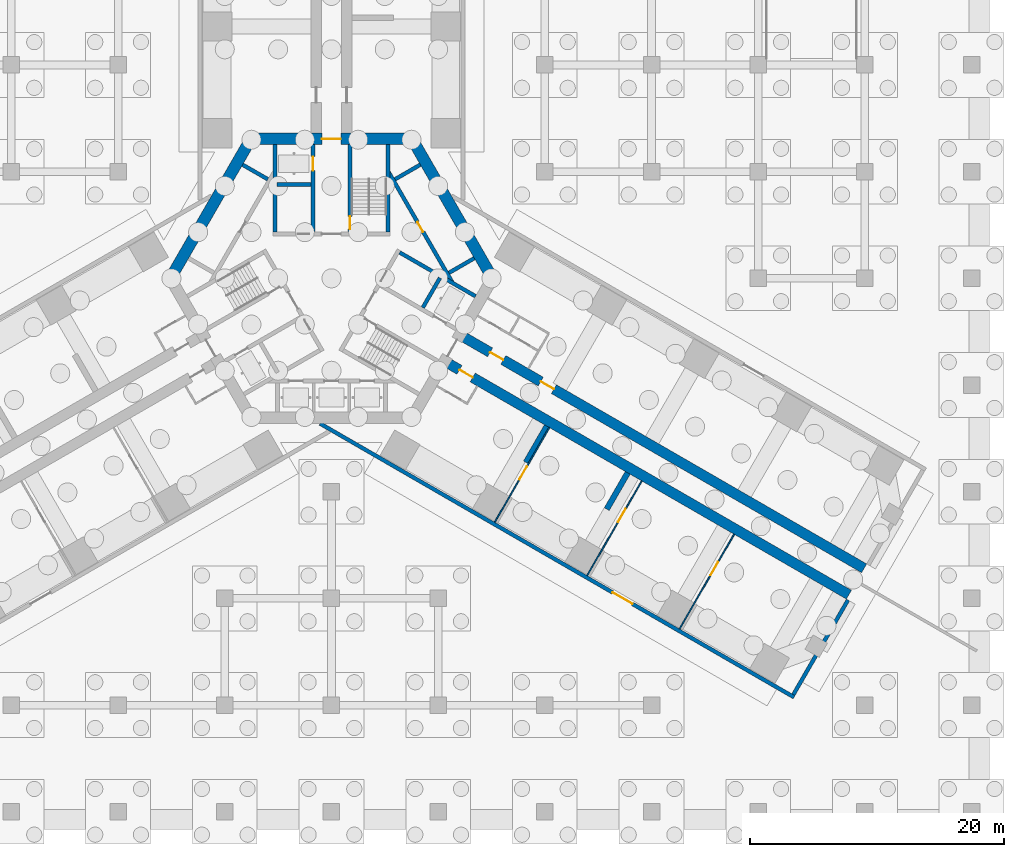
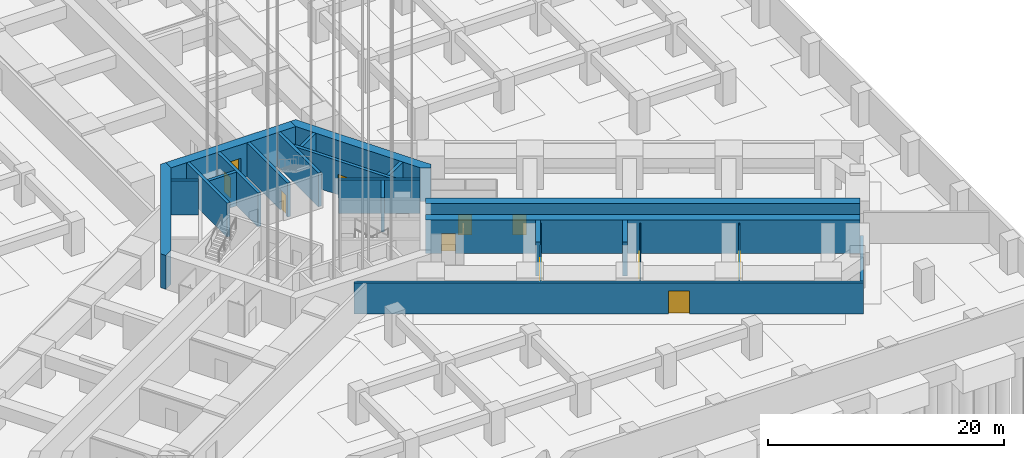
# One storey, part 56 of 73: 23 walls, 11 doors, 11 openings.
"""IFC4 building model written with IfcOpenShell, lengths in metres."""

from ifc_helpers import new_model, si_unit, direction, frame, frame_2d, origin, place, context, subcontext, project, spatial, polyline, rectangle, outline, extrude, material, layer, layer_set, type_object, element, fill, save


model = new_model("IFC4")

# Units and contexts
model_context = context("Model", 3, precision=1e-05, world=origin(), true_north=direction((0.0, 1.0)))
body_context = subcontext(model_context, "Body", "Model", "MODEL_VIEW")
ifc_project = project(units=[si_unit("LENGTHUNIT", "METRE"), si_unit("AREAUNIT", "SQUARE_METRE"), si_unit("VOLUMEUNIT", "CUBIC_METRE"), si_unit("PLANEANGLEUNIT", "RADIAN"), si_unit("MASSUNIT", "GRAM", prefix="KILO")], contexts=[model_context])

# Site, building, storey
site_placement = place(None, origin())
site = spatial("IfcSite", under=ifc_project, at=site_placement, CompositionType="ELEMENT")
building_placement = place(site_placement, origin())
building = spatial("IfcBuilding", under=site, at=building_placement, Name="Impinga Residences", CompositionType="ELEMENT")
storey_placement = place(building_placement, frame((0.0, 0.0, -10.5)))
storey = spatial("IfcBuildingStorey", under=building, at=storey_placement, Name="B3", CompositionType="ELEMENT", Elevation=-10.5)

# Wall, openings, doors
ifc_material_1 = material(Name="Concrete C70/85", Category="concrete")
ifc_layer_1 = layer(ifc_material_1, 0.800048828125)
ifc_layer_set_1 = layer_set([ifc_layer_1], Name="Concrete C70/85")
wall_type_1 = type_object("IfcWallType", Name="BW0 corridor buttress wall, B3 to L04 800", PredefinedType="SHEAR", material=ifc_layer_set_1)
wall_1_placement = place(storey_placement, frame((10.1103515625, -4.451416015625, 0.0), z_axis=(0.0, 0.0, 1.0), x_axis=(0.866025284237, -0.500000207062, 0.0)))
wall_1 = element("IfcWall", 1, at=wall_1_placement, inside=storey, type_object=wall_type_1, Name="Corridor wall BW0 EC B3", PredefinedType="SHEAR", context=body_context, shape_type="SweptSolid", body=[
    extrude(rectangle(XDim=36.75, YDim=0.800048828125, at=frame_2d((18.375, 0.0))), origin(), (0.0, 0.0, 1.0), 3.5),
])
opening_1_placement = place(wall_1_placement, frame((2.75, 0.0, 0.0)))
opening_1 = element("IfcOpeningElement", 2, at=opening_1_placement, cuts=wall_1, Name="Opening D3", PredefinedType="OPENING", context=body_context, shape_type="SweptSolid", body=[
    extrude(rectangle(XDim=1.199951171875, YDim=2.10009765625, at=frame_2d((0.60009765625, 1.050048828125))), frame((0.0, 0.409912109375, 0.0), z_axis=(0.0, -1.0, 0.0), x_axis=(1.0, 0.0, 0.0)), (0.0, 0.0, 1.0), 0.820068359375),
])
opening_2_placement = place(wall_1_placement, frame((7.35009765625, 0.0, 0.0)))
opening_2 = element("IfcOpeningElement", 3, at=opening_2_placement, cuts=wall_1, Name="Opening D3", PredefinedType="OPENING", context=body_context, shape_type="SweptSolid", body=[
    extrude(rectangle(XDim=1.199951171875, YDim=2.10009765625, at=frame_2d((0.60009765625, 1.050048828125))), frame((0.0, 0.409912109375, 0.0), z_axis=(0.0, -1.0, 0.0), x_axis=(1.0, 0.0, 0.0)), (0.0, 0.0, 1.0), 0.820068359375),
])
ifc_material_2 = material(Name="Timber door set", Category="wood")
door_type_1 = type_object("IfcDoorType", Name="D3 room door, leaf and a half 1200x2100", OperationType="DOUBLE_SWING_LEFT", PredefinedType="DOOR", material=ifc_material_2)
door_1_placement = place(opening_1_placement, origin())
door_1 = element("IfcDoor", 4, at=door_1_placement, inside=storey, type_object=door_type_1, Name="WC lobby door B3-EA1", OperationType="DOUBLE_SWING_LEFT", OverallHeight=2.10009765625, OverallWidth=1.199951171875, PredefinedType="DOOR", context=body_context, shape_type="SweptSolid", body=[
    extrude(rectangle(XDim=1.199951171875, YDim=2.10009765625, at=frame_2d((0.60009765625, 1.050048828125))), frame((0.0, 0.02490234375, 0.0), z_axis=(0.0, -1.0, 0.0), x_axis=(1.0, 0.0, 0.0)), (0.0, 0.0, 1.0), 0.050048828125),
])
fill(opening_1, door_1)
door_2_placement = place(opening_2_placement, origin())
door_2 = element("IfcDoor", 5, at=door_2_placement, inside=storey, type_object=door_type_1, Name="Storage cages door B3-EA1", OperationType="DOUBLE_SWING_LEFT", OverallHeight=2.10009765625, OverallWidth=1.199951171875, PredefinedType="DOOR", context=body_context, shape_type="SweptSolid", body=[
    extrude(rectangle(XDim=1.199951171875, YDim=2.10009765625, at=frame_2d((0.60009765625, 1.050048828125))), frame((0.0, 0.02490234375, 0.0), z_axis=(0.0, -1.0, 0.0), x_axis=(1.0, 0.0, 0.0)), (0.0, 0.0, 1.0), 0.050048828125),
])
fill(opening_2, door_2)

# Wall, opening, door
wall_2_placement = place(storey_placement, frame((8.910400390625, -6.530029296875, 0.0), z_axis=(0.0, 0.0, 1.0), x_axis=(0.866025284237, -0.500000207062, 0.0)))
wall_2 = element("IfcWall", 6, at=wall_2_placement, inside=storey, type_object=wall_type_1, Name="Corridor wall BW0 ED B3", PredefinedType="SHEAR", context=body_context, shape_type="SweptSolid", body=[
    extrude(rectangle(XDim=36.75, YDim=0.800048828125, at=frame_2d((18.375, 0.0))), origin(), (0.0, 0.0, 1.0), 3.5),
])
opening_3_placement = place(wall_2_placement, frame((1.35009765625, 0.0, 0.0)))
opening_3 = element("IfcOpeningElement", 7, at=opening_3_placement, cuts=wall_2, Name="Opening D3", PredefinedType="OPENING", context=body_context, shape_type="SweptSolid", body=[
    extrude(rectangle(XDim=1.199951171875, YDim=2.10009765625, at=frame_2d((0.60009765625, 1.050048828125))), frame((0.0, 0.409912109375, 0.0), z_axis=(0.0, -1.0, 0.0), x_axis=(1.0, 0.0, 0.0)), (0.0, 0.0, 1.0), 0.820068359375),
])
door_3_placement = place(opening_3_placement, origin())
door_3 = element("IfcDoor", 8, at=door_3_placement, inside=storey, type_object=door_type_1, Name="Plant room lobby door B3-EF1", OperationType="DOUBLE_SWING_LEFT", OverallHeight=2.10009765625, OverallWidth=1.199951171875, PredefinedType="DOOR", context=body_context, shape_type="SweptSolid", body=[
    extrude(rectangle(XDim=1.199951171875, YDim=2.10009765625, at=frame_2d((0.60009765625, 1.050048828125))), frame((0.0, 0.02490234375, 0.0), z_axis=(0.0, -1.0, 0.0), x_axis=(1.0, 0.0, 0.0)), (0.0, 0.0, 1.0), 0.050048828125),
])
fill(opening_3, door_3)

ifc_material_3 = material(Name="Concrete blockwork", Category="masonry")
ifc_layer_2 = layer(ifc_material_3, 0.10009765625)
ifc_layer_set_2 = layer_set([ifc_layer_2], Name="CP1 core room partition, blockwork 100")
wall_type_2 = type_object("IfcWallType", Name="CP1 core room partition, blockwork 100", PredefinedType="PARTITIONING", material=ifc_layer_set_2)
wall_3_placement = place(storey_placement, frame((17.154052734375, -11.75146484375, 0.0), z_axis=(0.0, 0.0, 1.0), x_axis=(-0.500007509209, -0.866021068297, 0.0)))
wall_3 = element("IfcWall", 9, at=wall_3_placement, inside=storey, type_object=wall_type_2, Name="Core room partition, blockwork B3-EF1:PS1", PredefinedType="PARTITIONING", context=body_context, shape_type="SweptSolid", body=[
    extrude(rectangle(XDim=8.599853515625, YDim=0.10009765625, at=frame_2d((4.2998046875, 0.0))), origin(), (0.0, 0.0, 1.0), 3.199951171875),
])
opening_4_placement = place(wall_3_placement, frame((3.52490234375, 0.0, 0.0)))
opening_4 = element("IfcOpeningElement", 10, at=opening_4_placement, cuts=wall_3, Name="Opening D3", PredefinedType="OPENING", context=body_context, shape_type="SweptSolid", body=[
    extrude(rectangle(XDim=1.199951171875, YDim=2.10009765625, at=frame_2d((0.60009765625, 1.050048828125))), frame((0.0, 0.06005859375, 0.0), z_axis=(0.0, -1.0, 0.0), x_axis=(1.0, 0.0, 0.0)), (0.0, 0.0, 1.0), 0.1201171875),
])
door_4_placement = place(opening_4_placement, origin())
door_4 = element("IfcDoor", 11, at=door_4_placement, inside=storey, type_object=door_type_1, Name="Generator fuel room door B3-EF1", OperationType="DOUBLE_SWING_LEFT", OverallHeight=2.10009765625, OverallWidth=1.199951171875, PredefinedType="DOOR", context=body_context, shape_type="SweptSolid", body=[
    extrude(rectangle(XDim=1.199951171875, YDim=2.10009765625, at=frame_2d((0.60009765625, 1.050048828125))), frame((0.0, 0.02490234375, 0.0), z_axis=(0.0, -1.0, 0.0), x_axis=(1.0, 0.0, 0.0)), (0.0, 0.0, 1.0), 0.050048828125),
])
fill(opening_4, door_4)

wall_4_placement = place(storey_placement, frame((24.4287109375, -15.951416015625, 0.0), z_axis=(0.0, 0.0, 1.0), x_axis=(-0.500007509209, -0.866021068297, 0.0)))
wall_4 = element("IfcWall", 12, at=wall_4_placement, inside=storey, type_object=wall_type_2, Name="Core room partition, blockwork B3-EF1:PS2", PredefinedType="PARTITIONING", context=body_context, shape_type="SweptSolid", body=[
    extrude(rectangle(XDim=8.599853515625, YDim=0.10009765625, at=frame_2d((4.2998046875, 0.0))), origin(), (0.0, 0.0, 1.0), 3.199951171875),
])
opening_5_placement = place(wall_4_placement, frame((2.52490234375, 0.0, 0.0)))
opening_5 = element("IfcOpeningElement", 13, at=opening_5_placement, cuts=wall_4, Name="Opening D3", PredefinedType="OPENING", context=body_context, shape_type="SweptSolid", body=[
    extrude(rectangle(XDim=1.199951171875, YDim=2.10009765625, at=frame_2d((0.60009765625, 1.050048828125))), frame((0.0, 0.06005859375, 0.0), z_axis=(0.0, -1.0, 0.0), x_axis=(1.0, 0.0, 0.0)), (0.0, 0.0, 1.0), 0.1201171875),
])
door_5_placement = place(opening_5_placement, origin())
door_5 = element("IfcDoor", 14, at=door_5_placement, inside=storey, type_object=door_type_1, Name="Plant room door B3-EF1", OperationType="DOUBLE_SWING_LEFT", OverallHeight=2.10009765625, OverallWidth=1.199951171875, PredefinedType="DOOR", context=body_context, shape_type="SweptSolid", body=[
    extrude(rectangle(XDim=1.199951171875, YDim=2.10009765625, at=frame_2d((0.60009765625, 1.050048828125))), frame((0.0, 0.02490234375, 0.0), z_axis=(0.0, -1.0, 0.0), x_axis=(1.0, 0.0, 0.0)), (0.0, 0.0, 1.0), 0.050048828125),
])
fill(opening_5, door_5)

wall_5_placement = place(storey_placement, frame((31.703369140625, -20.1513671875, 0.0), z_axis=(0.0, 0.0, 1.0), x_axis=(-0.500007509209, -0.866021068297, 0.0)))
wall_5 = element("IfcWall", 15, at=wall_5_placement, inside=storey, type_object=wall_type_2, Name="Core room partition, blockwork B3-EF1:PS3", PredefinedType="PARTITIONING", context=body_context, shape_type="SweptSolid", body=[
    extrude(rectangle(XDim=8.599853515625, YDim=0.10009765625, at=frame_2d((4.2998046875, 0.0))), origin(), (0.0, 0.0, 1.0), 3.199951171875),
])
opening_6_placement = place(wall_5_placement, frame((2.52490234375, 0.0, 0.0)))
opening_6 = element("IfcOpeningElement", 16, at=opening_6_placement, cuts=wall_5, Name="Opening D3", PredefinedType="OPENING", context=body_context, shape_type="SweptSolid", body=[
    extrude(rectangle(XDim=1.199951171875, YDim=2.10009765625, at=frame_2d((0.60009765625, 1.050048828125))), frame((0.0, 0.06005859375, 0.0), z_axis=(0.0, -1.0, 0.0), x_axis=(1.0, 0.0, 0.0)), (0.0, 0.0, 1.0), 0.1201171875),
])
door_6_placement = place(opening_6_placement, origin())
door_6 = element("IfcDoor", 17, at=door_6_placement, inside=storey, type_object=door_type_1, Name="Comms equipment room door B3-EF1", OperationType="DOUBLE_SWING_LEFT", OverallHeight=2.10009765625, OverallWidth=1.199951171875, PredefinedType="DOOR", context=body_context, shape_type="SweptSolid", body=[
    extrude(rectangle(XDim=1.199951171875, YDim=2.10009765625, at=frame_2d((0.60009765625, 1.050048828125))), frame((0.0, 0.02490234375, 0.0), z_axis=(0.0, -1.0, 0.0), x_axis=(1.0, 0.0, 0.0)), (0.0, 0.0, 1.0), 0.050048828125),
])
fill(opening_6, door_6)

# Wall
ifc_layer_3 = layer(ifc_material_3, 0.300048828125)
ifc_layer_set_3 = layer_set([ifc_layer_3], Name="PW3 podium wall on the wing face 300")
wall_type_3 = type_object("IfcWallType", Name="PW3 podium wall on the wing face 300", PredefinedType="SOLIDWALL", material=ifc_layer_set_3)
wall_6_placement = place(storey_placement, frame((40.666748046875, -25.326416015625, 0.0), z_axis=(0.0, 0.0, 1.0), x_axis=(-0.500007509209, -0.866021068297, 0.0)))
element("IfcWall", 18, at=wall_6_placement, inside=storey, type_object=wall_type_3, Name="Podium wall on the wing face B3:END:EF", PredefinedType="SOLIDWALL", context=body_context, shape_type="SweptSolid", body=[
    extrude(rectangle(XDim=8.599853515625, YDim=0.300048828125, at=frame_2d((4.2998046875, 0.0))), origin(), (0.0, 0.0, 1.0), 1.89990234375),
])

# Wall, opening, door
wall_7_placement = place(storey_placement, frame((-0.89990234375, -11.431640625, 0.0), z_axis=(0.0, 0.0, 1.0), x_axis=(0.866025301493, -0.500000177174, 0.0)))
wall_7 = element("IfcWall", 19, at=wall_7_placement, inside=storey, type_object=wall_type_3, Name="Podium wall on the wing face B3:SIDE:EF0", PredefinedType="SOLIDWALL", context=body_context, shape_type="SweptSolid", body=[
    extrude(rectangle(XDim=43.09521484375, YDim=0.300048828125, at=frame_2d((21.547607421875, 0.0))), origin(), (0.0, 0.0, 1.0), 3.199951171875),
])
opening_7_placement = place(wall_7_placement, frame((26.59521484375, 0.0, 0.0)))
opening_7 = element("IfcOpeningElement", 20, at=opening_7_placement, cuts=wall_7, Name="Opening D7", PredefinedType="OPENING", context=body_context, shape_type="SweptSolid", body=[
    extrude(rectangle(XDim=1.800048828125, YDim=2.39990234375, at=frame_2d((0.89990234375, 1.199951171875))), frame((0.0, 0.159912109375, 0.0), z_axis=(0.0, -1.0, 0.0), x_axis=(1.0, 0.0, 0.0)), (0.0, 0.0, 1.0), 0.320068359375),
])
door_type_2 = type_object("IfcDoorType", Name="D7 podium door pair 1800x2400", OperationType="DOUBLE_DOOR_DOUBLE_SWING", PredefinedType="DOOR", material=ifc_material_2)
door_7_placement = place(opening_7_placement, origin())
door_7 = element("IfcDoor", 21, at=door_7_placement, inside=storey, type_object=door_type_2, Name="Double door EF", OperationType="DOUBLE_DOOR_DOUBLE_SWING", OverallHeight=2.39990234375, OverallWidth=1.800048828125, PredefinedType="DOOR", context=body_context, shape_type="SweptSolid", body=[
    extrude(rectangle(XDim=1.800048828125, YDim=2.39990234375, at=frame_2d((0.89990234375, 1.199951171875))), frame((0.0, 0.02490234375, 0.0), z_axis=(0.0, -1.0, 0.0), x_axis=(1.0, 0.0, 0.0)), (0.0, 0.0, 1.0), 0.050048828125),
])
fill(opening_7, door_7)

# Walls
ifc_material_4 = material(Name="Concrete C60/75", Category="concrete")
ifc_layer_4 = layer(ifc_material_4, 0.449951171875)
ifc_layer_set_4 = layer_set([ifc_layer_4], Name="Concrete C60/75")
wall_type_4 = type_object("IfcWallType", Name="SE3 wing stair end wall carried down to the raft, basements 450", PredefinedType="SOLIDWALL", material=ifc_layer_set_4)
for number, where, z_axis, x_axis, name in (
    (22, (16.959228515625, -11.638916015625, 0.0), (0.0, 0.0, 1.0), (-0.50002983664, -0.866008176907, 0.0), "Stair enclosure wall SE3 E END0 B3"),
    (23, (23.324462890625, -15.31396484375, 0.0), (0.0, 0.0, 1.0), (-0.499974350878, -0.866040211805, 0.0), "Stair enclosure wall SE3 E END1 B3"),
):
    element("IfcWall", number, at=place(storey_placement, frame(where, z_axis=z_axis, x_axis=x_axis)), inside=storey, type_object=wall_type_4, Name=name, PredefinedType="SOLIDWALL", context=body_context, shape_type="SweptSolid", body=[
        extrude(rectangle(XDim=3.300048828125, YDim=0.449951171875, at=frame_2d((1.64990234375, 0.0))), origin(), (0.0, 0.0, 1.0), 3.5),
    ])

# Wall, opening, door
ifc_layer_5 = layer(ifc_material_1, 0.89990234375)
ifc_layer_set_5 = layer_set([ifc_layer_5], Name="Concrete C70/85")
wall_type_5 = type_object("IfcWallType", Name="SW1 core wall 900", PredefinedType="SHEAR", material=ifc_layer_set_5)
wall_8_placement = place(storey_placement, frame((-6.080322265625, 10.9814453125, 0.0), z_axis=(0.0, 0.0, 1.0), x_axis=(1.0, 0.0, 0.0)))
wall_8 = element("IfcWall", 24, at=wall_8_placement, inside=storey, type_object=wall_type_5, Name="Core wall SW1 N:FACE B3", PredefinedType="SHEAR", context=body_context, shape_type="SweptSolid", body=[
    extrude(rectangle(XDim=12.16064453125, YDim=0.89990234375, at=frame_2d((6.080322265625, 0.0))), origin(), (0.0, 0.0, 1.0), 3.5),
])
opening_8_placement = place(wall_8_placement, frame((5.330322265625, 0.0, 0.0)))
opening_8 = element("IfcOpeningElement", 25, at=opening_8_placement, cuts=wall_8, Name="Opening D4", PredefinedType="OPENING", context=body_context, shape_type="SweptSolid", body=[
    extrude(rectangle(XDim=1.5, YDim=2.10009765625, at=frame_2d((0.75, 1.050048828125))), frame((0.0, 0.4599609375, 0.0), z_axis=(0.0, -1.0, 0.0), x_axis=(1.0, 0.0, 0.0)), (0.0, 0.0, 1.0), 0.919921875),
])
door_type_3 = type_object("IfcDoorType", Name="D4 lobby door pair 1500x2100", OperationType="DOUBLE_DOOR_DOUBLE_SWING", PredefinedType="DOOR", material=ifc_material_2)
door_8_placement = place(opening_8_placement, origin())
door_8 = element("IfcDoor", 26, at=door_8_placement, inside=storey, type_object=door_type_3, Name="Lobby door N", OperationType="DOUBLE_DOOR_DOUBLE_SWING", OverallHeight=2.10009765625, OverallWidth=1.5, PredefinedType="DOOR", context=body_context, shape_type="SweptSolid", body=[
    extrude(rectangle(XDim=1.5, YDim=2.10009765625, at=frame_2d((0.75, 1.050048828125))), frame((0.0, 0.02490234375, 0.0), z_axis=(0.0, -1.0, 0.0), x_axis=(1.0, 0.0, 0.0)), (0.0, 0.0, 1.0), 0.050048828125),
])
fill(opening_8, door_8)

# Walls
wall_9_placement = place(storey_placement, origin())
element("IfcWall", 27, at=wall_9_placement, inside=storey, type_object=wall_type_5, Name="Core wall SW1 W:EXPOSED B3", PredefinedType="SHEAR", context=body_context, shape_type="SweptSolid", body=[
    extrude(outline(polyline([(13.199951171875, 0.0), (6.60009765625, 11.431640625), (6.080322265625, 11.431640625), (6.080322265625, 10.531494140625), (12.160888671875, 0.0), (12.940185546875, -0.449951171875), (13.199951171875, 0.0)])), origin(), (0.0, 0.0, 1.0), 3.5),
])
wall_10_placement = place(storey_placement, origin())
element("IfcWall", 28, at=wall_10_placement, inside=storey, type_object=wall_type_5, Name="Core wall SW1 E:EXPOSED B3", PredefinedType="SHEAR", context=body_context, shape_type="SweptSolid", body=[
    extrude(outline(polyline([(-6.60009765625, 11.431640625), (-13.199951171875, 0.0), (-12.940185546875, -0.449951171875), (-12.160888671875, 0.0), (-6.080322265625, 10.531494140625), (-6.080322265625, 11.431640625), (-6.60009765625, 11.431640625)])), origin(), (0.0, 0.0, 1.0), 3.5),
])

# Wall, opening, door
ifc_layer_6 = layer(ifc_material_1, 0.300048828125)
ifc_layer_set_6 = layer_set([ifc_layer_6], Name="Concrete C70/85")
wall_type_6 = type_object("IfcWallType", Name="SW5 core inner wall, stairs, shafts and lobbies 300", PredefinedType="SHEAR", material=ifc_layer_set_6)
wall_11_placement = place(storey_placement, frame((1.449951171875, 3.6298828125, 0.0), z_axis=(0.0, 0.0, 1.0), x_axis=(0.0, 1.0, 0.0)))
wall_11 = element("IfcWall", 29, at=wall_11_placement, inside=storey, type_object=wall_type_6, Name="Core wall SW5 N:ST-IN B3", PredefinedType="SHEAR", context=body_context, shape_type="SweptSolid", body=[
    extrude(rectangle(XDim=6.901611328125, YDim=0.300048828125, at=frame_2d((3.45068359375, 0.0))), origin(), (0.0, 0.0, 1.0), 3.5),
])
opening_9_placement = place(wall_11_placement, frame((0.25, 0.0, 0.0)))
opening_9 = element("IfcOpeningElement", 30, at=opening_9_placement, cuts=wall_11, Name="Opening D5", PredefinedType="OPENING", context=body_context, shape_type="SweptSolid", body=[
    extrude(rectangle(XDim=1.0, YDim=2.10009765625, at=frame_2d((0.5, 1.050048828125))), frame((0.0, 0.159912109375, 0.0), z_axis=(0.0, -1.0, 0.0), x_axis=(1.0, 0.0, 0.0)), (0.0, 0.0, 1.0), 0.320068359375),
])
door_type_4 = type_object("IfcDoorType", Name="D5 stair door 1000x2100", OperationType="SINGLE_SWING_LEFT", PredefinedType="DOOR", material=ifc_material_2)
door_9_placement = place(opening_9_placement, origin())
door_9 = element("IfcDoor", 31, at=door_9_placement, inside=storey, type_object=door_type_4, Name="Stair door N", OperationType="SINGLE_SWING_LEFT", OverallHeight=2.10009765625, OverallWidth=1.0, PredefinedType="DOOR", context=body_context, shape_type="SweptSolid", body=[
    extrude(rectangle(XDim=1.0, YDim=2.10009765625, at=frame_2d((0.5, 1.050048828125))), frame((0.0, 0.02490234375, 0.0), z_axis=(0.0, -1.0, 0.0), x_axis=(1.0, 0.0, 0.0)), (0.0, 0.0, 1.0), 0.050048828125),
])
fill(opening_9, door_9)

# Wall
wall_12_placement = place(storey_placement, frame((4.449951171875, 3.6298828125, 0.0), z_axis=(0.0, 0.0, 1.0), x_axis=(0.0, 1.0, 0.0)))
element("IfcWall", 32, at=wall_12_placement, inside=storey, type_object=wall_type_6, Name="Core wall SW5 N:ST-OUT B3", PredefinedType="SHEAR", context=body_context, shape_type="SweptSolid", body=[
    extrude(rectangle(XDim=6.901611328125, YDim=0.300048828125, at=frame_2d((3.45068359375, 0.0))), origin(), (0.0, 0.0, 1.0), 3.5),
])

# Wall, opening, door
wall_13_placement = place(storey_placement, frame((-1.449951171875, 3.6298828125, 0.0), z_axis=(0.0, 0.0, 1.0), x_axis=(0.0, 1.0, 0.0)))
wall_13 = element("IfcWall", 33, at=wall_13_placement, inside=storey, type_object=wall_type_6, Name="Core wall SW5 N:FF-IN B3", PredefinedType="SHEAR", context=body_context, shape_type="SweptSolid", body=[
    extrude(rectangle(XDim=6.901611328125, YDim=0.300048828125, at=frame_2d((3.45068359375, 0.0))), origin(), (0.0, 0.0, 1.0), 3.5),
])
opening_10_placement = place(wall_13_placement, frame((4.85009765625, 0.0, 0.0)))
opening_10 = element("IfcOpeningElement", 34, at=opening_10_placement, cuts=wall_13, Name="Opening LD2", PredefinedType="OPENING", context=body_context, shape_type="SweptSolid", body=[
    extrude(rectangle(XDim=1.10009765625, YDim=2.10009765625, at=frame_2d((0.550048828125, 1.050048828125))), frame((0.0, 0.159912109375, 0.0), z_axis=(0.0, -1.0, 0.0), x_axis=(1.0, 0.0, 0.0)), (0.0, 0.0, 1.0), 0.320068359375),
])
ifc_material_5 = material(Name="Steel lift landing door", Category="steel")
door_type_5 = type_object("IfcDoorType", Name="LD2 firefighting lift landing door 1100x2100", OperationType="DOUBLE_DOOR_SLIDING", PredefinedType="DOOR", material=ifc_material_5)
door_10_placement = place(opening_10_placement, origin())
door_10 = element("IfcDoor", 35, at=door_10_placement, inside=storey, type_object=door_type_5, Name="Firefighting lift landing door F1", OperationType="DOUBLE_DOOR_SLIDING", OverallHeight=2.10009765625, OverallWidth=1.10009765625, PredefinedType="DOOR", context=body_context, shape_type="SweptSolid", body=[
    extrude(rectangle(XDim=1.10009765625, YDim=2.10009765625, at=frame_2d((0.550048828125, 1.050048828125))), frame((0.0, 0.02490234375, 0.0), z_axis=(0.0, -1.0, 0.0), x_axis=(1.0, 0.0, 0.0)), (0.0, 0.0, 1.0), 0.050048828125),
])
fill(opening_10, door_10)

# Walls
wall_14_placement = place(storey_placement, frame((-4.449951171875, 3.6298828125, 0.0), z_axis=(0.0, 0.0, 1.0), x_axis=(0.0, 1.0, 0.0)))
element("IfcWall", 36, at=wall_14_placement, inside=storey, type_object=wall_type_6, Name="Core wall SW5 N:FF-OUT B3", PredefinedType="SHEAR", context=body_context, shape_type="SweptSolid", body=[
    extrude(rectangle(XDim=6.901611328125, YDim=0.300048828125, at=frame_2d((3.45068359375, 0.0))), origin(), (0.0, 0.0, 1.0), 3.5),
])
wall_15_placement = place(storey_placement, frame((-4.300048828125, 7.3798828125, 0.0), z_axis=(0.0, 0.0, 1.0), x_axis=(1.0, 0.0, 0.0)))
element("IfcWall", 37, at=wall_15_placement, inside=storey, type_object=wall_type_6, Name="Core wall SW5 N:FF-RS B3", PredefinedType="SHEAR", context=body_context, shape_type="SweptSolid", body=[
    extrude(rectangle(XDim=2.699951171875, YDim=0.300048828125, at=frame_2d((1.35009765625, 0.0))), origin(), (0.0, 0.0, 1.0), 3.5),
])
wall_16_placement = place(storey_placement, frame((5.36865234375, 2.038818359375, 0.0), z_axis=(0.0, 0.0, 1.0), x_axis=(0.86602711848, -0.499997030048, 0.0)))
element("IfcWall", 38, at=wall_16_placement, inside=storey, type_object=wall_type_6, Name="Core wall SW5 E:FF-OUT B3", PredefinedType="SHEAR", context=body_context, shape_type="SweptSolid", body=[
    extrude(rectangle(XDim=6.9013671875, YDim=0.300048828125, at=frame_2d((3.45068359375, 0.0))), origin(), (0.0, 0.0, 1.0), 3.5),
])
wall_17_placement = place(storey_placement, frame((8.541259765625, 0.033935546875, 0.0), z_axis=(0.0, 0.0, 1.0), x_axis=(-0.50000943426, -0.866019956843, 0.0)))
element("IfcWall", 39, at=wall_17_placement, inside=storey, type_object=wall_type_6, Name="Core wall SW5 E:FF-RS B3", PredefinedType="SHEAR", context=body_context, shape_type="SweptSolid", body=[
    extrude(rectangle(XDim=2.7001953125, YDim=0.300048828125, at=frame_2d((1.35009765625, 0.0))), origin(), (0.0, 0.0, 1.0), 3.5),
])

# Wall, opening, door
wall_18_placement = place(storey_placement, frame((4.449951171875, 8.455322265625, 0.0), z_axis=(0.0, 0.0, 1.0), x_axis=(0.500002290144, -0.866024081565, 0.0)))
wall_18 = element("IfcWall", 40, at=wall_18_placement, inside=storey, type_object=wall_type_6, Name="Core wall SW5 W:BANK-FRONT B3", PredefinedType="SHEAR", context=body_context, shape_type="SweptSolid", body=[
    extrude(rectangle(XDim=10.1953125, YDim=0.300048828125, at=frame_2d((5.09765625, 0.0))), origin(), (0.0, 0.0, 1.0), 3.5),
])
opening_11_placement = place(wall_18_placement, frame((4.647705078125, 0.0, 0.0)))
opening_11 = element("IfcOpeningElement", 41, at=opening_11_placement, cuts=wall_18, Name="Opening D6", PredefinedType="OPENING", context=body_context, shape_type="SweptSolid", body=[
    extrude(rectangle(XDim=0.89990234375, YDim=2.10009765625, at=frame_2d((0.449951171875, 1.050048828125))), frame((0.0, 0.159912109375, 0.0), z_axis=(0.0, -1.0, 0.0), x_axis=(1.0, 0.0, 0.0)), (0.0, 0.0, 1.0), 0.320068359375),
])
door_type_6 = type_object("IfcDoorType", Name="D6 riser and store door 900x2100", OperationType="SINGLE_SWING_LEFT", PredefinedType="DOOR", material=ifc_material_2)
door_11_placement = place(opening_11_placement, origin())
door_11 = element("IfcDoor", 42, at=door_11_placement, inside=storey, type_object=door_type_6, Name="Store door", OperationType="SINGLE_SWING_RIGHT", OverallHeight=2.10009765625, OverallWidth=0.89990234375, PredefinedType="DOOR", context=body_context, shape_type="SweptSolid", body=[
    extrude(rectangle(XDim=0.89990234375, YDim=2.10009765625, at=frame_2d((0.449951171875, 1.050048828125))), frame((0.0, 0.02490234375, 0.0), z_axis=(0.0, -1.0, 0.0), x_axis=(1.0, 0.0, 0.0)), (0.0, 0.0, 1.0), 0.050048828125),
])
fill(opening_11, door_11)

# Walls
for number, where, z_axis, x_axis, name in (
    (43, (5.003662109375, 7.79638671875, 0.0), (0.0, 0.0, 1.0), (0.866053019151, 0.499952165731, 0.0), "Core wall SW5 W:BANK-L B3"),
    (44, (9.253662109375, 0.43505859375, 0.0), (0.0, 0.0, 1.0), (0.866007057882, 0.500031774688, 0.0), "Core wall SW5 W:BANK-R B3"),
    (45, (-5.003662109375, 7.79638671875, 0.0), (0.0, 0.0, 1.0), (-0.866053019151, 0.499952165731, 0.0), "Core wall SW5 E:BANK-R B3"),
):
    element("IfcWall", number, at=place(storey_placement, frame(where, z_axis=z_axis, x_axis=x_axis)), inside=storey, type_object=wall_type_6, Name=name, PredefinedType="SHEAR", context=body_context, shape_type="SweptSolid", body=[
        extrude(rectangle(XDim=2.300048828125, YDim=0.300048828125, at=frame_2d((1.14990234375, 0.0))), origin(), (0.0, 0.0, 1.0), 3.5),
    ])

save(model, "model.ifc")
